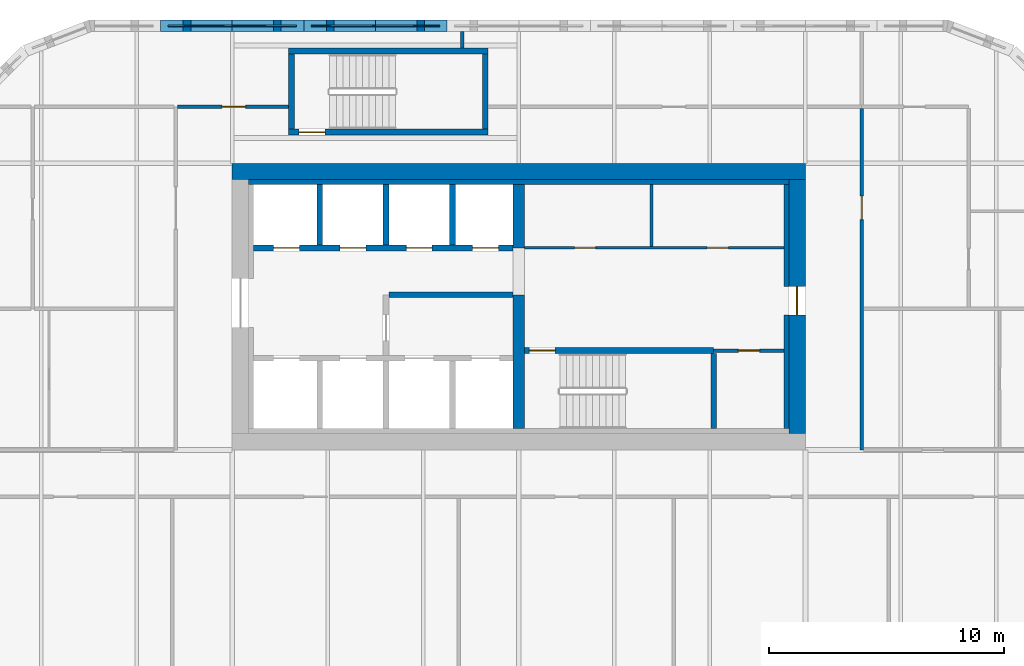
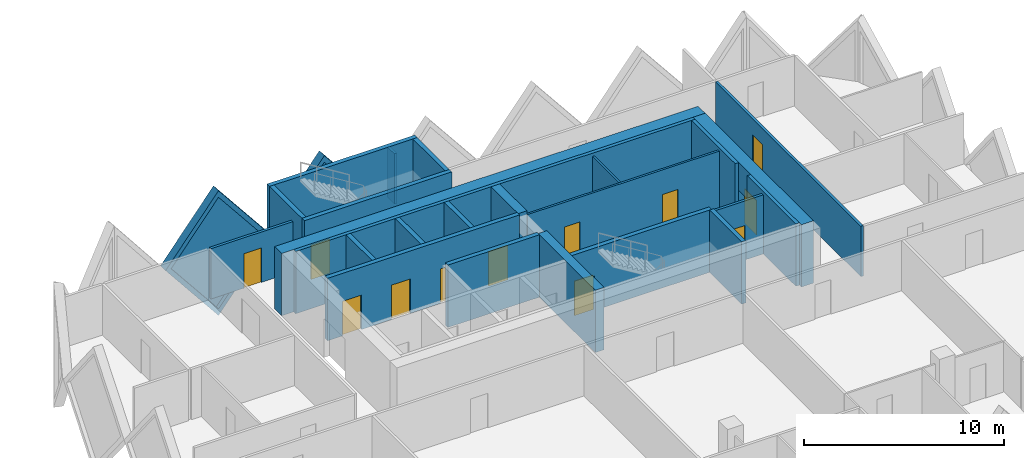
# One storey, part 14 of 20: 26 walls, 12 doors, 2 plates, 14 openings.
"""IFC4 building model written with IfcOpenShell, lengths in metres."""

from ifc_helpers import new_model, si_unit, direction, frame, frame_2d, origin, place, context, subcontext, project, spatial, polyline, rectangle, outline, extrude, faceted_brep, source, transform, mapped, material, layer, layer_set, type_object, element, fill, save


model = new_model("IFC4")

# Units and contexts
model_context = context("Model", 3, precision=1e-05, world=origin(), true_north=direction((0.0, 1.0)))
body_context = subcontext(model_context, "Body", "Model", "MODEL_VIEW")
ifc_project = project(units=[si_unit("LENGTHUNIT", "METRE"), si_unit("AREAUNIT", "SQUARE_METRE"), si_unit("VOLUMEUNIT", "CUBIC_METRE"), si_unit("PLANEANGLEUNIT", "RADIAN"), si_unit("MASSUNIT", "GRAM", prefix="KILO")], contexts=[model_context])

# Site, building, storey
site_placement = place(None, origin())
site = spatial("IfcSite", under=ifc_project, at=site_placement, CompositionType="ELEMENT")
building_placement = place(site_placement, origin())
building = spatial("IfcBuilding", under=site, at=building_placement, Name="Tessera Gate Towers", CompositionType="ELEMENT")
storey_placement = place(building_placement, frame((0.0, 0.0, 48.60009765625)))
storey = spatial("IfcBuildingStorey", under=building, at=storey_placement, Name="L11", CompositionType="ELEMENT", Elevation=48.60009765625)

# Wall, openings, doors
ifc_material_1 = material(Name="Concrete C40/50", Category="concrete")
ifc_layer_1 = layer(ifc_material_1, 0.25)
ifc_layer_set_1 = layer_set([ifc_layer_1], Name="CORE ENCLOSURE WALL 250")
wall_type_1 = type_object("IfcWallType", Name="CORE ENCLOSURE WALL 250", PredefinedType="SOLIDWALL", material=ifc_layer_set_1)
wall_1_placement = place(storey_placement, frame((109.550048828125, 45.199951171875, 0.0), z_axis=(0.0, 0.0, 1.0), x_axis=(-1.0, 0.0, 0.0)))
wall_1 = element("IfcWall", 1, at=wall_1_placement, inside=storey, type_object=wall_type_1, Name="L11 shaft and stair enclosure wall", PredefinedType="SOLIDWALL", context=body_context, shape_type="SweptSolid", body=[
    extrude(rectangle(XDim=11.050048828125, YDim=0.25, at=frame_2d((5.52490234375, 0.0))), origin(), (0.0, 0.0, 1.0), 3.7998046875),
])
shared_shape_1 = source(origin(), body_context, "Body", "SweptSolid", [
    extrude(rectangle(XDim=1.10009765625, YDim=2.10009765625, at=frame_2d((0.550048828125, 1.050048828125))), frame((0.0, 0.135009765625, 0.0), z_axis=(0.0, -1.0, 0.0), x_axis=(1.0, 0.0, 0.0)), (0.0, 0.0, 1.0), 0.27001953125),
])
opening_1_placement = place(wall_1_placement, frame((9.08740234375, 0.0, 0.0)))
opening_1 = element("IfcOpeningElement", 2, at=opening_1_placement, cuts=wall_1, Name="Opening LD-TL3", PredefinedType="OPENING", context=body_context, shape_type="MappedRepresentation", body=[
    mapped(shared_shape_1, transform((0.0, 0.0, 0.0), scale=1.0)),
])
opening_2_placement = place(wall_1_placement, frame((6.262451171875, 0.0, 0.0)))
opening_2 = element("IfcOpeningElement", 3, at=opening_2_placement, cuts=wall_1, Name="Opening LD-TL4", PredefinedType="OPENING", context=body_context, shape_type="MappedRepresentation", body=[
    mapped(shared_shape_1, transform((0.0, 0.0, 0.0), scale=1.0)),
])
opening_3_placement = place(wall_1_placement, frame((3.4375, 0.0, 0.0)))
opening_3 = element("IfcOpeningElement", 4, at=opening_3_placement, cuts=wall_1, Name="Opening LD-TL5", PredefinedType="OPENING", context=body_context, shape_type="MappedRepresentation", body=[
    mapped(shared_shape_1, transform((0.0, 0.0, 0.0), scale=1.0)),
])
opening_4_placement = place(wall_1_placement, frame((0.612548828125, 0.0, 0.0)))
opening_4 = element("IfcOpeningElement", 5, at=opening_4_placement, cuts=wall_1, Name="Opening LD-TL6", PredefinedType="OPENING", context=body_context, shape_type="MappedRepresentation", body=[
    mapped(shared_shape_1, transform((0.0, 0.0, 0.0), scale=1.0)),
])
ifc_material_2 = material(Name="Stainless steel", Category="steel")
door_type_1 = type_object("IfcDoorType", Name="CORE DOOR LD 1100x2100", OperationType="DOUBLE_DOOR_SLIDING", PredefinedType="DOOR", material=ifc_material_2)
shared_shape_2 = source(origin(), body_context, "Body", "SweptSolid", [
    extrude(rectangle(XDim=1.10009765625, YDim=2.10009765625, at=frame_2d((0.550048828125, 1.050048828125))), frame((0.0, 0.02490234375, 0.0), z_axis=(0.0, -1.0, 0.0), x_axis=(1.0, 0.0, 0.0)), (0.0, 0.0, 1.0), 0.050048828125),
])
door_1_placement = place(opening_1_placement, origin())
door_1 = element("IfcDoor", 6, at=door_1_placement, inside=storey, type_object=door_type_1, Name="Landing door TL3 L11", OperationType="DOUBLE_DOOR_SLIDING", OverallHeight=2.10009765625, OverallWidth=1.10009765625, PredefinedType="DOOR", context=body_context, shape_type="MappedRepresentation", body=[
    mapped(shared_shape_2, transform((0.0, 0.0, 0.0), scale=1.0)),
])
fill(opening_1, door_1)
door_2_placement = place(opening_2_placement, origin())
door_2 = element("IfcDoor", 7, at=door_2_placement, inside=storey, type_object=door_type_1, Name="Landing door TL4 L11", OperationType="DOUBLE_DOOR_SLIDING", OverallHeight=2.10009765625, OverallWidth=1.10009765625, PredefinedType="DOOR", context=body_context, shape_type="MappedRepresentation", body=[
    mapped(shared_shape_2, transform((0.0, 0.0, 0.0), scale=1.0)),
])
fill(opening_2, door_2)
door_3_placement = place(opening_3_placement, origin())
door_3 = element("IfcDoor", 8, at=door_3_placement, inside=storey, type_object=door_type_1, Name="Landing door TL5 L11", OperationType="DOUBLE_DOOR_SLIDING", OverallHeight=2.10009765625, OverallWidth=1.10009765625, PredefinedType="DOOR", context=body_context, shape_type="MappedRepresentation", body=[
    mapped(shared_shape_2, transform((0.0, 0.0, 0.0), scale=1.0)),
])
fill(opening_3, door_3)
door_4_placement = place(opening_4_placement, origin())
door_4 = element("IfcDoor", 9, at=door_4_placement, inside=storey, type_object=door_type_1, Name="Landing door TL6 L11", OperationType="DOUBLE_DOOR_SLIDING", OverallHeight=2.10009765625, OverallWidth=1.10009765625, PredefinedType="DOOR", context=body_context, shape_type="MappedRepresentation", body=[
    mapped(shared_shape_2, transform((0.0, 0.0, 0.0), scale=1.0)),
])
fill(opening_4, door_4)

# Wall, opening, door
wall_2_placement = place(storey_placement, frame((118.10009765625, 40.824951171875, 0.0), z_axis=(0.0, 0.0, 1.0), x_axis=(-1.0, 0.0, 0.0)))
wall_2 = element("IfcWall", 10, at=wall_2_placement, inside=storey, type_object=wall_type_1, Name="L11 shaft and stair enclosure wall", PredefinedType="SOLIDWALL", context=body_context, shape_type="SweptSolid", body=[
    extrude(rectangle(XDim=8.050048828125, YDim=0.25, at=frame_2d((4.02490234375, 0.0))), origin(), (0.0, 0.0, 1.0), 3.7998046875),
])
opening_5_placement = place(wall_2_placement, frame((6.75, 0.0, 0.0)))
opening_5 = element("IfcOpeningElement", 11, at=opening_5_placement, cuts=wall_2, Name="Opening SD-ST6-1", PredefinedType="OPENING", context=body_context, shape_type="MappedRepresentation", body=[
    mapped(shared_shape_1, transform((0.0, 0.0, 0.0), scale=1.0)),
])
ifc_material_3 = material(Name="Hollow steel fire door", Category="steel")
door_type_2 = type_object("IfcDoorType", Name="CORE DOOR SD1100 1100x2100", OperationType="NOTDEFINED", PredefinedType="DOOR", material=ifc_material_3)
door_5_placement = place(opening_5_placement, origin())
door_5 = element("IfcDoor", 12, at=door_5_placement, inside=storey, type_object=door_type_2, Name="Stair door", OperationType="SINGLE_SWING_RIGHT", OverallHeight=2.10009765625, OverallWidth=1.10009765625, PredefinedType="DOOR", context=body_context, shape_type="MappedRepresentation", body=[
    mapped(shared_shape_2, transform((0.0, 0.0, 0.0), scale=1.0)),
])
fill(opening_5, door_5)

# Walls
wall_3_placement = place(storey_placement, frame((104.27490234375, 43.199951171875, 0.0), z_axis=(0.0, 0.0, 1.0), x_axis=(1.0, 0.0, 0.0)))
element("IfcWall", 13, at=wall_3_placement, inside=storey, type_object=wall_type_1, Name="L11 shaft and stair enclosure wall", PredefinedType="SOLIDWALL", context=body_context, shape_type="SweptSolid", body=[
    extrude(rectangle(XDim=5.275146484375, YDim=0.25, at=frame_2d((2.6376953125, 0.0))), origin(), (0.0, 0.0, 1.0), 3.7998046875),
])
wall_4_placement = place(storey_placement, frame((118.10009765625, 37.5, 0.0), z_axis=(0.0, 0.0, 1.0), x_axis=(0.0, 1.0, 0.0)))
element("IfcWall", 14, at=wall_4_placement, inside=storey, type_object=wall_type_1, Name="L11 shaft and stair enclosure wall", PredefinedType="SOLIDWALL", context=body_context, shape_type="SweptSolid", body=[
    extrude(rectangle(XDim=3.199951171875, YDim=0.25, at=frame_2d((1.60009765625, 0.0))), origin(), (0.0, 0.0, 1.0), 3.7998046875),
])
for number, where, z_axis, x_axis, name in (
    (15, (101.324951171875, 45.324951171875, 0.0), (0.0, 0.0, 1.0), (0.0, 1.0, 0.0), "L11 shaft and stair enclosure wall"),
    (16, (104.14990234375, 45.324951171875, 0.0), (0.0, 0.0, 1.0), (0.0, 1.0, 0.0), "L11 shaft and stair enclosure wall"),
    (17, (106.97509765625, 45.324951171875, 0.0), (0.0, 0.0, 1.0), (0.0, 1.0, 0.0), "L11 shaft and stair enclosure wall"),
):
    element("IfcWall", number, at=place(storey_placement, frame(where, z_axis=z_axis, x_axis=x_axis)), inside=storey, type_object=wall_type_1, Name=name, PredefinedType="SOLIDWALL", context=body_context, shape_type="SweptSolid", body=[
        extrude(rectangle(XDim=2.574951171875, YDim=0.25, at=frame_2d((1.28759765625, 0.0))), origin(), (0.0, 0.0, 1.0), 3.7998046875),
    ])

# Wall, opening, door
wall_5_placement = place(storey_placement, frame((108.5, 50.125, 0.0), z_axis=(0.0, 0.0, 1.0), x_axis=(-1.0, 0.0, 0.0)))
wall_5 = element("IfcWall", 18, at=wall_5_placement, inside=storey, type_object=wall_type_1, Name="L11 ST7 enclosure wall", PredefinedType="SOLIDWALL", context=body_context, shape_type="SweptSolid", body=[
    extrude(rectangle(XDim=8.5, YDim=0.25, at=frame_2d((4.25, 0.0))), origin(), (0.0, 0.0, 1.0), 3.7998046875),
])
opening_6_placement = place(wall_5_placement, frame((6.949951171875, 0.0, 0.0)))
opening_6 = element("IfcOpeningElement", 19, at=opening_6_placement, cuts=wall_5, Name="Opening SD-ST7-1", PredefinedType="OPENING", context=body_context, shape_type="MappedRepresentation", body=[
    mapped(shared_shape_1, transform((0.0, 0.0, 0.0), scale=1.0)),
])
door_6_placement = place(opening_6_placement, origin())
door_6 = element("IfcDoor", 20, at=door_6_placement, inside=storey, type_object=door_type_2, Name="Stair door", OperationType="SINGLE_SWING_RIGHT", OverallHeight=2.10009765625, OverallWidth=1.10009765625, PredefinedType="DOOR", context=body_context, shape_type="MappedRepresentation", body=[
    mapped(shared_shape_2, transform((0.0, 0.0, 0.0), scale=1.0)),
])
fill(opening_6, door_6)

# Walls
wall_6_placement = place(storey_placement, frame((100.125, 50.25, 0.0), z_axis=(0.0, 0.0, 1.0), x_axis=(0.0, 1.0, 0.0)))
element("IfcWall", 21, at=wall_6_placement, inside=storey, type_object=wall_type_1, Name="L11 ST7 enclosure wall", PredefinedType="SOLIDWALL", context=body_context, shape_type="SweptSolid", body=[
    extrude(rectangle(XDim=3.199951171875, YDim=0.25, at=frame_2d((1.60009765625, 0.0))), origin(), (0.0, 0.0, 1.0), 3.7998046875),
])
wall_7_placement = place(storey_placement, frame((100.0, 53.574951171875, 0.0), z_axis=(0.0, 0.0, 1.0), x_axis=(1.0, 0.0, 0.0)))
element("IfcWall", 22, at=wall_7_placement, inside=storey, type_object=wall_type_1, Name="L11 ST7 enclosure wall", PredefinedType="SOLIDWALL", context=body_context, shape_type="SweptSolid", body=[
    extrude(rectangle(XDim=8.5, YDim=0.25, at=frame_2d((4.25, 0.0))), origin(), (0.0, 0.0, 1.0), 3.7998046875),
])
wall_8_placement = place(storey_placement, frame((108.375, 53.449951171875, 0.0), z_axis=(0.0, 0.0, 1.0), x_axis=(0.0, -1.0, 0.0)))
element("IfcWall", 23, at=wall_8_placement, inside=storey, type_object=wall_type_1, Name="L11 ST7 enclosure wall", PredefinedType="SOLIDWALL", context=body_context, shape_type="SweptSolid", body=[
    extrude(rectangle(XDim=3.199951171875, YDim=0.25, at=frame_2d((1.60009765625, 0.0))), origin(), (0.0, 0.0, 1.0), 3.7998046875),
])

# Wall, openings, doors
ifc_material_4 = material(Name="Gypsum board on steel studs", Category="steel")
ifc_layer_2 = layer(ifc_material_4, 0.1201171875)
ifc_layer_set_2 = layer_set([ifc_layer_2], Name="CORE PARTITION 120")
wall_type_2 = type_object("IfcWallType", Name="CORE PARTITION 120", PredefinedType="PARTITIONING", material=ifc_layer_set_2)
wall_9_placement = place(storey_placement, frame((110.050048828125, 45.199951171875, 0.0), z_axis=(0.0, 0.0, 1.0), x_axis=(1.0, 0.0, 0.0)))
wall_9 = element("IfcWall", 24, at=wall_9_placement, inside=storey, type_object=wall_type_2, Name="L11 core partition", PredefinedType="PARTITIONING", context=body_context, shape_type="SweptSolid", body=[
    extrude(rectangle(XDim=11.050048828125, YDim=0.1201171875, at=frame_2d((5.52490234375, 0.0))), origin(), (0.0, 0.0, 1.0), 3.599853515625),
])
shared_shape_3 = source(origin(), body_context, "Body", "SweptSolid", [
    extrude(rectangle(XDim=0.89990234375, YDim=2.10009765625, at=frame_2d((0.449951171875, 1.050048828125))), frame((0.0, 0.070068359375, 0.0), z_axis=(0.0, -1.0, 0.0), x_axis=(1.0, 0.0, 0.0)), (0.0, 0.0, 1.0), 0.14013671875),
])
opening_7_placement = place(wall_9_placement, frame((2.125, 0.0, 0.0)))
opening_7 = element("IfcOpeningElement", 25, at=opening_7_placement, cuts=wall_9, Name="Opening RD-T2-04-04", PredefinedType="OPENING", context=body_context, shape_type="MappedRepresentation", body=[
    mapped(shared_shape_3, transform((0.0, 0.0, 0.0), scale=1.0)),
])
opening_8_placement = place(wall_9_placement, frame((7.77490234375, 0.0, 0.0)))
opening_8 = element("IfcOpeningElement", 26, at=opening_8_placement, cuts=wall_9, Name="Opening RD-T2-04-05", PredefinedType="OPENING", context=body_context, shape_type="MappedRepresentation", body=[
    mapped(shared_shape_3, transform((0.0, 0.0, 0.0), scale=1.0)),
])
ifc_material_5 = material(Name="Hollow steel fire door", Category="steel")
door_type_3 = type_object("IfcDoorType", Name="CORE DOOR RD 900x2100", OperationType="NOTDEFINED", PredefinedType="DOOR", material=ifc_material_5)
shared_shape_4 = source(origin(), body_context, "Body", "SweptSolid", [
    extrude(rectangle(XDim=0.89990234375, YDim=2.10009765625, at=frame_2d((0.449951171875, 1.050048828125))), frame((0.0, 0.02490234375, 0.0), z_axis=(0.0, -1.0, 0.0), x_axis=(1.0, 0.0, 0.0)), (0.0, 0.0, 1.0), 0.050048828125),
])
door_7_placement = place(opening_7_placement, origin())
door_7 = element("IfcDoor", 27, at=door_7_placement, inside=storey, type_object=door_type_3, Name="Core room door", OperationType="SINGLE_SWING_LEFT", OverallHeight=2.10009765625, OverallWidth=0.89990234375, PredefinedType="DOOR", context=body_context, shape_type="MappedRepresentation", body=[
    mapped(shared_shape_4, transform((0.0, 0.0, 0.0), scale=1.0)),
])
fill(opening_7, door_7)
door_8_placement = place(opening_8_placement, origin())
door_8 = element("IfcDoor", 28, at=door_8_placement, inside=storey, type_object=door_type_3, Name="Core room door", OperationType="SINGLE_SWING_RIGHT", OverallHeight=2.10009765625, OverallWidth=0.89990234375, PredefinedType="DOOR", context=body_context, shape_type="MappedRepresentation", body=[
    mapped(shared_shape_4, transform((0.0, 0.0, 0.0), scale=1.0)),
])
fill(opening_8, door_8)

# Walls
wall_10_placement = place(storey_placement, frame((115.449951171875, 45.260009765625, 0.0), z_axis=(0.0, 0.0, 1.0), x_axis=(0.0, 1.0, 0.0)))
element("IfcWall", 29, at=wall_10_placement, inside=storey, type_object=wall_type_2, Name="L11 core partition", PredefinedType="PARTITIONING", context=body_context, shape_type="SweptSolid", body=[
    extrude(rectangle(XDim=2.639892578125, YDim=0.1201171875, at=frame_2d((1.31982421875, 0.0))), origin(), (0.0, 0.0, 1.0), 3.599853515625),
])
ifc_material_6 = material(Name="Concrete C60/75", Category="concrete")
ifc_layer_3 = layer(ifc_material_6, 0.699951171875)
ifc_layer_set_3 = layer_set([ifc_layer_3], Name="CORE SHEAR WALL 700 C60/75")
wall_type_3 = type_object("IfcWallType", Name="CORE SHEAR WALL 700 C60/75", PredefinedType="SHEAR", material=ifc_layer_set_3)
wall_11_placement = place(storey_placement, frame((97.60009765625, 48.449951171875, 0.0), z_axis=(0.0, 0.0, 1.0), x_axis=(1.0, 0.0, 0.0)))
element("IfcWall", 30, at=wall_11_placement, inside=storey, type_object=wall_type_3, Name="Core wall N L11", PredefinedType="SHEAR", context=body_context, shape_type="SweptSolid", body=[
    extrude(rectangle(XDim=24.39990234375, YDim=0.699951171875, at=frame_2d((12.199951171875, 0.0))), origin(), (0.0, 0.0, 1.0), 3.7998046875),
])

# Wall, opening, door
wall_12_placement = place(storey_placement, frame((121.64990234375, 48.10009765625, 0.0), z_axis=(0.0, 0.0, 1.0), x_axis=(0.0, -1.0, 0.0)))
wall_12 = element("IfcWall", 31, at=wall_12_placement, inside=storey, type_object=wall_type_3, Name="Core wall E L11", PredefinedType="SHEAR", context=body_context, shape_type="SweptSolid", body=[
    extrude(rectangle(XDim=10.800048828125, YDim=0.699951171875, at=frame_2d((5.39990234375, 0.0))), origin(), (0.0, 0.0, 1.0), 3.7998046875),
])
shared_shape_5 = source(origin(), body_context, "Body", "SweptSolid", [
    extrude(rectangle(XDim=1.199951171875, YDim=2.10009765625, at=frame_2d((0.60009765625, 1.050048828125))), frame((0.0, 0.35986328125, 0.0), z_axis=(0.0, -1.0, 0.0), x_axis=(1.0, 0.0, 0.0)), (0.0, 0.0, 1.0), 0.719970703125),
])
opening_9_placement = place(wall_12_placement, frame((4.550048828125, 0.0, 0.0)))
opening_9 = element("IfcOpeningElement", 32, at=opening_9_placement, cuts=wall_12, Name="Opening ED-T2-04-02", PredefinedType="OPENING", context=body_context, shape_type="MappedRepresentation", body=[
    mapped(shared_shape_5, transform((0.0, 0.0, 0.0), scale=1.0)),
])
ifc_material_7 = material(Name="Hollow steel fire door", Category="steel")
door_type_4 = type_object("IfcDoorType", Name="CORE DOOR ED 1200x2100", OperationType="NOTDEFINED", PredefinedType="DOOR", material=ifc_material_7)
shared_shape_6 = source(origin(), body_context, "Body", "SweptSolid", [
    extrude(rectangle(XDim=1.199951171875, YDim=2.10009765625, at=frame_2d((0.60009765625, 1.050048828125))), frame((0.0, 0.02490234375, 0.0), z_axis=(0.0, -1.0, 0.0), x_axis=(1.0, 0.0, 0.0)), (0.0, 0.0, 1.0), 0.050048828125),
])
door_9_placement = place(opening_9_placement, origin())
door_9 = element("IfcDoor", 33, at=door_9_placement, inside=storey, type_object=door_type_4, Name="Core exit door", OperationType="SINGLE_SWING_LEFT", OverallHeight=2.10009765625, OverallWidth=1.199951171875, PredefinedType="DOOR", context=body_context, shape_type="MappedRepresentation", body=[
    mapped(shared_shape_6, transform((0.0, 0.0, 0.0), scale=1.0)),
])
fill(opening_9, door_9)

# Walls
ifc_material_8 = material(Name="Concrete C60/75", Category="concrete")
ifc_layer_4 = layer(ifc_material_8, 0.5)
ifc_layer_set_4 = layer_set([ifc_layer_4], Name="CORE SPINE WALL 500 C60/75")
wall_type_4 = type_object("IfcWallType", Name="CORE SPINE WALL 500 C60/75", PredefinedType="SHEAR", material=ifc_layer_set_4)
wall_13_placement = place(storey_placement, frame((109.800048828125, 37.5, 0.0), z_axis=(0.0, 0.0, 1.0), x_axis=(0.0, 1.0, 0.0)))
element("IfcWall", 34, at=wall_13_placement, inside=storey, type_object=wall_type_4, Name="Core wall spine L11", PredefinedType="SHEAR", context=body_context, shape_type="SweptSolid", body=[
    extrude(rectangle(XDim=5.699951171875, YDim=0.5, at=frame_2d((2.85009765625, 0.0))), origin(), (0.0, 0.0, 1.0), 3.7998046875),
])
wall_14_placement = place(storey_placement, frame((109.800048828125, 45.199951171875, 0.0), z_axis=(0.0, 0.0, 1.0), x_axis=(0.0, 1.0, 0.0)))
element("IfcWall", 35, at=wall_14_placement, inside=storey, type_object=wall_type_4, Name="Core wall spine L11", PredefinedType="SHEAR", context=body_context, shape_type="SweptSolid", body=[
    extrude(rectangle(XDim=2.699951171875, YDim=0.5, at=frame_2d((1.35009765625, 0.0))), origin(), (0.0, 0.0, 1.0), 3.7998046875),
])
ifc_material_9 = material(Name="Concrete C60/75", Category="concrete")
ifc_layer_5 = layer(ifc_material_9, 0.199951171875)
ifc_layer_set_5 = layer_set([ifc_layer_5], Name="CORE WALL THICKENING 200")
wall_type_5 = type_object("IfcWallType", Name="CORE WALL THICKENING 200", PredefinedType="SOLIDWALL", material=ifc_layer_set_5)
wall_15_placement = place(storey_placement, frame((98.300048828125, 48.0, 0.0), z_axis=(0.0, 0.0, 1.0), x_axis=(1.0, 0.0, 0.0)))
element("IfcWall", 36, at=wall_15_placement, inside=storey, type_object=wall_type_5, Name="Core wall thickening N L11", PredefinedType="SOLIDWALL", context=body_context, shape_type="SweptSolid", body=[
    extrude(rectangle(XDim=23.0, YDim=0.199951171875, at=frame_2d((11.5, 0.0))), origin(), (0.0, 0.0, 1.0), 3.7998046875),
])
wall_16_placement = place(storey_placement, frame((121.199951171875, 37.5, 0.0), z_axis=(0.0, 0.0, 1.0), x_axis=(0.0, 1.0, 0.0)))
element("IfcWall", 37, at=wall_16_placement, inside=storey, type_object=wall_type_5, Name="Core wall thickening E L11", PredefinedType="SOLIDWALL", context=body_context, shape_type="SweptSolid", body=[
    extrude(rectangle(XDim=4.85009765625, YDim=0.199951171875, at=frame_2d((2.425048828125, 0.0))), origin(), (0.0, 0.0, 1.0), 3.7998046875),
])
wall_17_placement = place(storey_placement, frame((121.199951171875, 43.550048828125, 0.0), z_axis=(0.0, 0.0, 1.0), x_axis=(0.0, 1.0, 0.0)))
element("IfcWall", 38, at=wall_17_placement, inside=storey, type_object=wall_type_5, Name="Core wall thickening E L11", PredefinedType="SOLIDWALL", context=body_context, shape_type="SweptSolid", body=[
    extrude(rectangle(XDim=4.349853515625, YDim=0.199951171875, at=frame_2d((2.1748046875, 0.0))), origin(), (0.0, 0.0, 1.0), 3.7998046875),
])

# Wall, opening, door
ifc_material_10 = material(Name="Gypsum board on steel studs, mineral wool", Category="steel")
ifc_layer_6 = layer(ifc_material_10, 0.14990234375)
ifc_layer_set_6 = layer_set([ifc_layer_6], Name="CORRIDOR WALL 150")
wall_type_6 = type_object("IfcWallType", Name="CORRIDOR WALL 150", PredefinedType="PARTITIONING", material=ifc_layer_set_6)
wall_18_placement = place(storey_placement, frame((124.39990234375, 51.1240234375, 0.0), z_axis=(0.0, 0.0, 1.0), x_axis=(0.0, -1.0, 0.0)))
wall_18 = element("IfcWall", 39, at=wall_18_placement, inside=storey, type_object=wall_type_6, Name="T2-L11-PW-027", PredefinedType="PARTITIONING", context=body_context, shape_type="SweptSolid", body=[
    extrude(rectangle(XDim=14.52392578125, YDim=0.14990234375, at=frame_2d((7.261962890625, 0.0))), origin(), (0.0, 0.0, 1.0), 3.06689453125),
])
shared_shape_7 = source(origin(), body_context, "Body", "SweptSolid", [
    extrude(rectangle(XDim=1.0, YDim=2.10009765625, at=frame_2d((0.5, 1.050048828125))), frame((0.0, 0.0849609375, 0.0), z_axis=(0.0, -1.0, 0.0), x_axis=(1.0, 0.0, 0.0)), (0.0, 0.0, 1.0), 0.169921875),
])
opening_10_placement = place(wall_18_placement, frame((3.72412109375, 0.0, 0.0)))
opening_10 = element("IfcOpeningElement", 40, at=opening_10_placement, cuts=wall_18, Name="Opening D2100FD60-B05-03", PredefinedType="OPENING", context=body_context, shape_type="MappedRepresentation", body=[
    mapped(shared_shape_7, transform((0.0, 0.0, 0.0), scale=1.0)),
])
ifc_material_11 = material(Name="Timber door leaf in steel frame", Category="steel")
door_type_5 = type_object("IfcDoorType", Name="TENANCY ENTRANCE DOOR 1000 FD60", OperationType="NOTDEFINED", PredefinedType="DOOR", material=ifc_material_11)
shared_shape_8 = source(origin(), body_context, "Body", "SweptSolid", [
    extrude(rectangle(XDim=1.0, YDim=2.10009765625, at=frame_2d((0.5, 1.050048828125))), frame((0.0, 0.02490234375, 0.0), z_axis=(0.0, -1.0, 0.0), x_axis=(1.0, 0.0, 0.0)), (0.0, 0.0, 1.0), 0.050048828125),
])
door_10_placement = place(opening_10_placement, origin())
door_10 = element("IfcDoor", 41, at=door_10_placement, inside=storey, type_object=door_type_5, Name="T2-L11-PD-015", OperationType="SINGLE_SWING_RIGHT", OverallHeight=2.10009765625, OverallWidth=1.0, PredefinedType="DOOR", context=body_context, shape_type="MappedRepresentation", body=[
    mapped(shared_shape_8, transform((0.0, 0.0, 0.0), scale=1.0)),
])
fill(opening_10, door_10)

wall_19_placement = place(storey_placement, frame((95.27587890625, 51.199951171875, 0.0), z_axis=(0.0, 0.0, 1.0), x_axis=(1.0, 0.0, 0.0)))
wall_19 = element("IfcWall", 42, at=wall_19_placement, inside=storey, type_object=wall_type_6, Name="T2-L11-PW-039", PredefinedType="PARTITIONING", context=body_context, shape_type="SweptSolid", body=[
    extrude(rectangle(XDim=4.72412109375, YDim=0.14990234375, at=frame_2d((2.362060546875, 0.0))), origin(), (0.0, 0.0, 1.0), 3.06689453125),
])
opening_11_placement = place(wall_19_placement, frame((1.89990234375, 0.0, 0.0)))
opening_11 = element("IfcOpeningElement", 43, at=opening_11_placement, cuts=wall_19, Name="Opening D2100FD60-B05-01", PredefinedType="OPENING", context=body_context, shape_type="MappedRepresentation", body=[
    mapped(shared_shape_7, transform((0.0, 0.0, 0.0), scale=1.0)),
])
door_11_placement = place(opening_11_placement, origin())
door_11 = element("IfcDoor", 44, at=door_11_placement, inside=storey, type_object=door_type_5, Name="T2-L11-PD-006", OperationType="SINGLE_SWING_LEFT", OverallHeight=2.10009765625, OverallWidth=1.0, PredefinedType="DOOR", context=body_context, shape_type="MappedRepresentation", body=[
    mapped(shared_shape_8, transform((0.0, 0.0, 0.0), scale=1.0)),
])
fill(opening_11, door_11)

ifc_material_12 = material(Name="Gypsum board on steel studs", Category="steel")
ifc_layer_7 = layer(ifc_material_12, 0.14990234375)
ifc_layer_set_7 = layer_set([ifc_layer_7], Name="SERVICE ROOM WALL 150")
wall_type_7 = type_object("IfcWallType", Name="SERVICE ROOM WALL 150", PredefinedType="PARTITIONING", material=ifc_layer_set_7)
wall_20_placement = place(storey_placement, frame((121.10009765625, 40.824951171875, 0.0), z_axis=(0.0, 0.0, 1.0), x_axis=(-1.0, 0.0, 0.0)))
wall_20 = element("IfcWall", 45, at=wall_20_placement, inside=storey, type_object=wall_type_7, Name="L11 service room wall", PredefinedType="PARTITIONING", context=body_context, shape_type="SweptSolid", body=[
    extrude(rectangle(XDim=3.0, YDim=0.14990234375, at=frame_2d((1.5, 0.0))), origin(), (0.0, 0.0, 1.0), 3.599853515625),
])
shared_shape_9 = source(origin(), body_context, "Body", "SweptSolid", [
    extrude(rectangle(XDim=0.89990234375, YDim=2.10009765625, at=frame_2d((0.449951171875, 1.050048828125))), frame((0.0, 0.0849609375, 0.0), z_axis=(0.0, -1.0, 0.0), x_axis=(1.0, 0.0, 0.0)), (0.0, 0.0, 1.0), 0.169921875),
])
opening_12_placement = place(wall_20_placement, frame((1.050048828125, 0.0, 0.0)))
opening_12 = element("IfcOpeningElement", 46, at=opening_12_placement, cuts=wall_20, Name="Opening RD-T2-04-06", PredefinedType="OPENING", context=body_context, shape_type="MappedRepresentation", body=[
    mapped(shared_shape_9, transform((0.0, 0.0, 0.0), scale=1.0)),
])
door_12_placement = place(opening_12_placement, origin())
door_12 = element("IfcDoor", 47, at=door_12_placement, inside=storey, type_object=door_type_3, Name="Core room door", OperationType="SINGLE_SWING_RIGHT", OverallHeight=2.10009765625, OverallWidth=0.89990234375, PredefinedType="DOOR", context=body_context, shape_type="MappedRepresentation", body=[
    mapped(shared_shape_4, transform((0.0, 0.0, 0.0), scale=1.0)),
])
fill(opening_12, door_12)

# Wall
ifc_material_13 = material(Name="Gypsum board on steel studs, mineral wool", Category="steel")
ifc_layer_8 = layer(ifc_material_13, 0.14990234375)
ifc_layer_set_8 = layer_set([ifc_layer_8], Name="TENANCY WALL 150")
wall_type_8 = type_object("IfcWallType", Name="TENANCY WALL 150", PredefinedType="PARTITIONING", material=ifc_layer_set_8)
wall_21_placement = place(storey_placement, frame((107.39990234375, 53.699951171875, 0.0), z_axis=(0.0, 0.0, 1.0), x_axis=(0.0, 1.0, 0.0)))
element("IfcWall", 48, at=wall_21_placement, inside=storey, type_object=wall_type_8, Name="T2-L11-PW-043", PredefinedType="PARTITIONING", context=body_context, shape_type="SweptSolid", body=[
    extrude(rectangle(XDim=0.699951171875, YDim=0.14990234375, at=frame_2d((0.35009765625, 0.0))), origin(), (0.0, 0.0, 1.0), 3.06689453125),
])

# Wall, opening, plate
ifc_material_14 = material(Name="Precast concrete C60/75 white", Category="concrete")
ifc_layer_9 = layer(ifc_material_14, 0.5)
ifc_layer_set_9 = layer_set([ifc_layer_9], Name="TS1 tessera")
wall_type_9 = type_object("IfcWallType", Name="TS1 tessera", PredefinedType="SOLIDWALL", material=ifc_layer_set_9)
shared_shape_10 = source(origin(), body_context, "Body", "Brep", [
    faceted_brep([(3.050048828125, -0.25, 0.0), (6.099853515625, -0.25, 3.7998046875), (6.099853515625, -0.25, 3.80029296875), (3.050048828125, -0.25, 7.599853515625), (0.0, -0.25, 3.800048828125), (0.0, 0.25, 3.800048828125), (3.050048828125, 0.25, 7.599853515625), (6.099853515625, 0.25, 3.80029296875), (6.099853515625, 0.25, 3.7998046875), (3.050048828125, 0.25, 0.0)], [[[0, 1, 2, 3, 4]], [[5, 6, 7, 8, 9]], [[9, 8, 1, 0]], [[7, 6, 3, 2]], [[6, 5, 4, 3]], [[5, 9, 0, 4]], [[1, 8, 7, 2]]]),
])
wall_22_placement = place(storey_placement, frame((100.64990234375, 54.64990234375, -3.800048828125), z_axis=(0.0, 0.0, 1.0), x_axis=(-1.0, 0.0, 0.0)))
wall_22 = element("IfcWall", 49, at=wall_22_placement, inside=storey, type_object=wall_type_9, Name="Precast tessera T2 TS1-0121", PredefinedType="SOLIDWALL", context=body_context, shape_type="MappedRepresentation", body=[
    mapped(shared_shape_10, transform((0.0, 0.0, 0.0), scale=1.0)),
])
shared_shape_11 = source(origin(), body_context, "Body", "SweptSolid", [
    extrude(outline(polyline([(3.050048828125, 0.3994140625), (5.779541015625, 3.800048828125), (3.050048828125, 7.200439453125), (0.320556640625, 3.800048828125), (3.050048828125, 0.3994140625)])), frame((0.0, 0.260009765625, 0.0), z_axis=(0.0, -1.0, 0.0), x_axis=(1.0, 0.0, 0.0)), (0.0, 0.0, 1.0), 0.52001953125),
])
opening_13_placement = place(wall_22_placement, origin())
opening_13 = element("IfcOpeningElement", 50, at=opening_13_placement, cuts=wall_22, Name="Opening T2-PL2-0227", PredefinedType="OPENING", context=body_context, shape_type="MappedRepresentation", body=[
    mapped(shared_shape_11, transform((0.0, 0.0, 0.0), scale=1.0)),
])
ifc_material_15 = material(Name="Low-e laminated glass", Category="glass")
ifc_layer_10 = layer(ifc_material_15, 0.06005859375)
ifc_layer_set_10 = layer_set([ifc_layer_10], Name="PL2 rhombic pane")
plate_type = type_object("IfcPlateType", Name="PL2 rhombic pane", PredefinedType="SHEET", material=ifc_layer_set_10)
shared_shape_12 = source(origin(), body_context, "Body", "SweptSolid", [
    extrude(outline(polyline([(3.050048828125, 0.3994140625), (5.779541015625, 3.800048828125), (3.050048828125, 7.200439453125), (0.320556640625, 3.800048828125), (3.050048828125, 0.3994140625)])), frame((0.0, 0.030029296875, 0.0), z_axis=(0.0, -1.0, 0.0), x_axis=(1.0, 0.0, 0.0)), (0.0, 0.0, 1.0), 0.06005859375),
])
plate_1_placement = place(opening_13_placement, origin())
plate_1 = element("IfcPlate", 51, at=plate_1_placement, inside=storey, type_object=plate_type, Name="Glass pane T2 PL2-0227", PredefinedType="SHEET", context=body_context, shape_type="MappedRepresentation", body=[
    mapped(shared_shape_12, transform((0.0, 0.0, 0.0), scale=1.0)),
])
fill(opening_13, plate_1)

shared_shape_13 = source(origin(), body_context, "Body", "SweptSolid", [
    extrude(outline(polyline([(3.050048828125, 0.0), (6.10009765625, 3.800048828125), (3.050048828125, 7.599853515625), (0.0, 3.800048828125), (3.050048828125, 0.0)])), frame((0.0, 0.25, 0.0), z_axis=(0.0, -1.0, 0.0), x_axis=(1.0, 0.0, 0.0)), (0.0, 0.0, 1.0), 0.5),
])
wall_23_placement = place(storey_placement, frame((106.75, 54.64990234375, -3.800048828125), z_axis=(0.0, 0.0, 1.0), x_axis=(-1.0, 0.0, 0.0)))
wall_23 = element("IfcWall", 52, at=wall_23_placement, inside=storey, type_object=wall_type_9, Name="Precast tessera T2 TS1-0120", PredefinedType="SOLIDWALL", context=body_context, shape_type="MappedRepresentation", body=[
    mapped(shared_shape_13, transform((0.0, 0.0, 0.0), scale=1.0)),
])
opening_14_placement = place(wall_23_placement, origin())
opening_14 = element("IfcOpeningElement", 53, at=opening_14_placement, cuts=wall_23, Name="Opening T2-PL2-0226", PredefinedType="OPENING", context=body_context, shape_type="MappedRepresentation", body=[
    mapped(shared_shape_11, transform((0.0, 0.0, 0.0), scale=1.0)),
])
plate_2_placement = place(opening_14_placement, origin())
plate_2 = element("IfcPlate", 54, at=plate_2_placement, inside=storey, type_object=plate_type, Name="Glass pane T2 PL2-0226", PredefinedType="SHEET", context=body_context, shape_type="MappedRepresentation", body=[
    mapped(shared_shape_12, transform((0.0, 0.0, 0.0), scale=1.0)),
])
fill(opening_14, plate_2)

save(model, "model.ifc")
